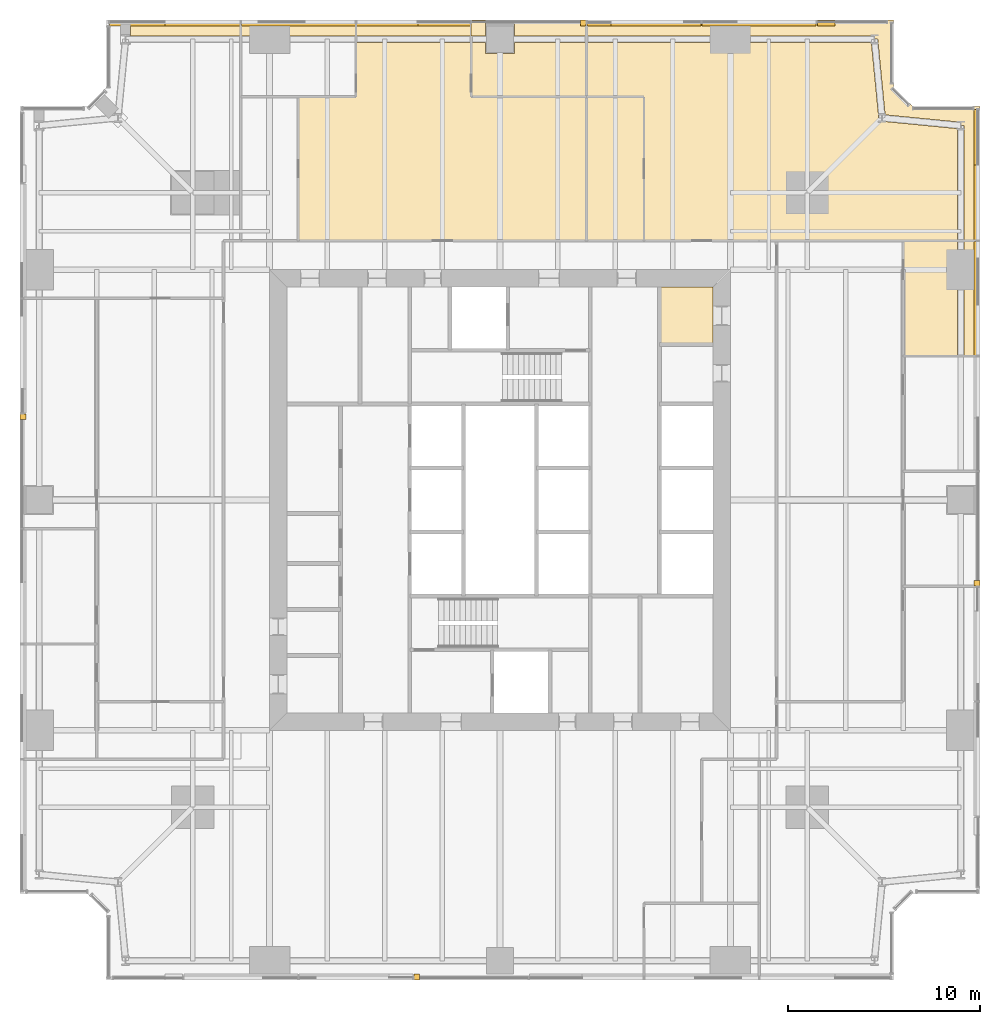
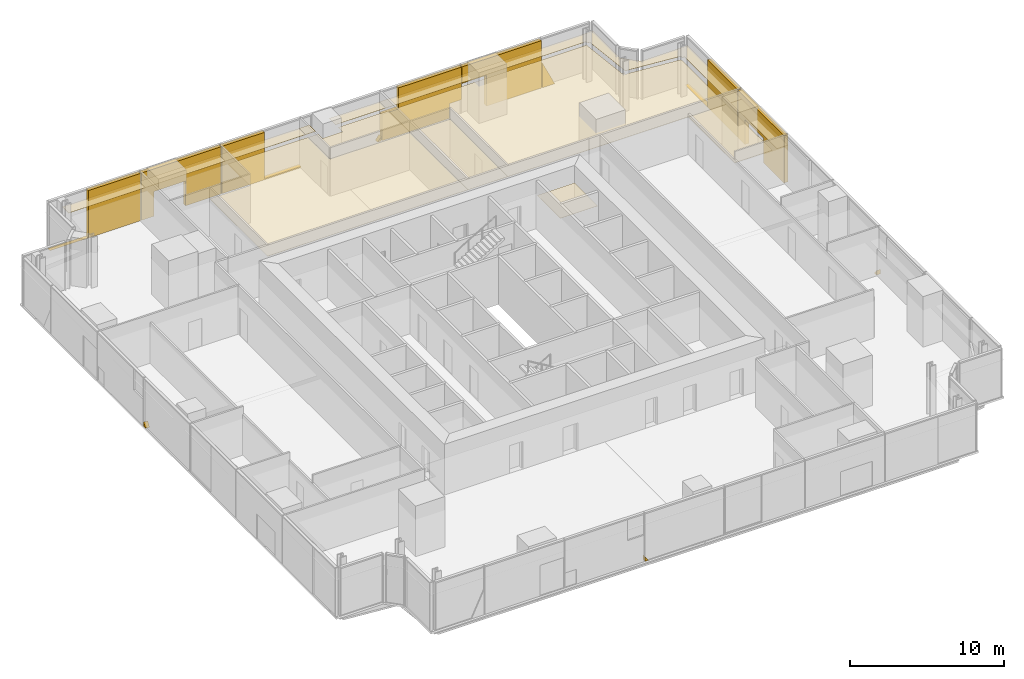
# One storey, part 14 of 14: 25 coverings.
"""IFC4 building model written with IfcOpenShell, lengths in metres."""

import ifcopenshell
import ifcopenshell.guid

model = None  # the IFC model being written
_history = None  # IfcOwnerHistory: only IFC2X3 demands one
_inside = {}  # id of a spatial element -> (the spatial element, [elements in it])
_under = {}  # id of a project, library or spatial element -> (it, [spatial elements below it])
_declared = {}  # id of a project -> (the project, [libraries it declares])
_typed = {}  # id of a type object -> (the type object, [elements of that type])
_made_of = {}  # id of a material, layer set ... -> (it, [elements and type objects made of it])


def new_model(schema):
    """Start an empty IFC model of exactly this schema.

    Asked for "IFC4X3", IfcOpenShell would pick the latest addendum, in which some entities
    have other attributes; the version numbers below select the first issue.
    IFC2X3 requires an IfcOwnerHistory on every rooted entity: one is made here for all.
    """
    global model, _history
    if schema == "IFC4X3":
        model = ifcopenshell.file(schema_version=(4, 3, 0, 0))
    else:
        model = ifcopenshell.file(schema=schema)
    _inside.clear()
    _under.clear()
    _declared.clear()
    _typed.clear()
    _made_of.clear()
    _history = None
    if model.schema == "IFC2X3":
        org = make("IfcOrganization", Name="unknown")
        user = make(
            "IfcPersonAndOrganization",
            ThePerson=make("IfcPerson", FamilyName="unknown"),
            TheOrganization=org,
        )
        app = make(
            "IfcApplication",
            ApplicationDeveloper=org,
            Version="unknown",
            ApplicationFullName="unknown",
            ApplicationIdentifier="unknown",
        )
        _history = make(
            "IfcOwnerHistory",
            OwningUser=user,
            OwningApplication=app,
            ChangeAction="ADDED",
            CreationDate=0,
        )
    return model


def make(cls, **values):
    """One entity of the class cls with the attributes given. An attribute that is None is left unset."""
    return model.create_entity(
        cls, **{name: value for name, value in values.items() if value is not None}
    )


def rooted(cls, **values):
    """An entity with a GlobalId (a new one), such as an element, a storey or a relation."""
    return make(cls, GlobalId=ifcopenshell.guid.new(), OwnerHistory=_history, **values)


def si_unit(unit_type, name, prefix=None):
    """IfcSIUnit, for example si_unit("LENGTHUNIT", "METRE", prefix="MILLI")."""
    return make("IfcSIUnit", UnitType=unit_type, Prefix=prefix, Name=name)


def assignment(units):
    """IfcUnitAssignment: the units of a project."""
    return None if units is None else make("IfcUnitAssignment", Units=units)


def point(xyz):
    """IfcCartesianPoint."""
    return None if xyz is None else make("IfcCartesianPoint", Coordinates=xyz)


def direction(xyz):
    """IfcDirection."""
    return None if xyz is None else make("IfcDirection", DirectionRatios=xyz)


def frame(location, z_axis=None, x_axis=None):
    """IfcAxis2Placement3D, a coordinate frame: its origin and axes. An axis left out is left unset."""
    return make(
        "IfcAxis2Placement3D",
        Location=point(location),
        Axis=direction(z_axis),
        RefDirection=direction(x_axis),
    )


def origin():
    """The frame at (0, 0, 0) with its axes left unset."""
    return frame((0.0, 0.0, 0.0))


def place(relative_to, where):
    """IfcLocalPlacement: puts the frame where relative to a parent placement (None: the world)."""
    return make(
        "IfcLocalPlacement", PlacementRelTo=relative_to, RelativePlacement=where
    )


def context(
    kind, dimensions, precision=None, world=None, true_north=None, identifier=None
):
    """IfcGeometricRepresentationContext, for example the 3D "Model" context."""
    return make(
        "IfcGeometricRepresentationContext",
        ContextIdentifier=identifier,
        ContextType=kind,
        CoordinateSpaceDimension=dimensions,
        Precision=precision,
        WorldCoordinateSystem=world,
        TrueNorth=true_north,
    )


def subcontext(parent, identifier, kind, view, scale=None):
    """IfcGeometricRepresentationSubContext, for example "Body" below "Model"."""
    return make(
        "IfcGeometricRepresentationSubContext",
        ContextIdentifier=identifier,
        ContextType=kind,
        ParentContext=parent,
        TargetScale=scale,
        TargetView=view,
    )


def project(units=None, contexts=None):
    """IfcProject with its units and contexts."""
    return rooted(
        "IfcProject",
        Name="project",
        RepresentationContexts=contexts,
        UnitsInContext=assignment(units),
    )


def spatial(cls, under=None, at=None, **own):
    """A site, building, storey or space (cls), placed at a placement, below another one or the project."""
    s = rooted(cls, ObjectPlacement=at, **own)
    if under is not None:
        _under.setdefault(under.id(), (under, []))[1].append(s)
    return s


def polyline(points):
    """IfcPolyline through the points."""
    return make("IfcPolyline", Points=[point(p) for p in points])


def outline(outer, holes=None, kind="AREA"):
    """IfcArbitraryClosedProfileDef: a profile drawn as a closed curve; with holes, ...WithVoids."""
    if holes is None:
        return make("IfcArbitraryClosedProfileDef", ProfileType=kind, OuterCurve=outer)
    return make(
        "IfcArbitraryProfileDefWithVoids",
        ProfileType=kind,
        OuterCurve=outer,
        InnerCurves=holes,
    )


def extrude(swept, where, along, depth):
    """IfcExtrudedAreaSolid: the profile swept, set in the frame where, extruded along a direction by depth."""
    return make(
        "IfcExtrudedAreaSolid",
        SweptArea=swept,
        Position=where,
        ExtrudedDirection=direction(along),
        Depth=depth,
    )


def shape(context_of_items, identifier, shape_type, items):
    """IfcShapeRepresentation: the items that make up one representation, for example the "Body"."""
    return make(
        "IfcShapeRepresentation",
        ContextOfItems=context_of_items,
        RepresentationIdentifier=identifier,
        RepresentationType=shape_type,
        Items=items,
    )


def material(Name=None, Category=None):
    """IfcMaterial."""
    return make("IfcMaterial", Name=Name, Category=Category)


def layer(
    of_material, thickness, ventilated=None, Name=None, Category=None, Priority=None
):
    """IfcMaterialLayer: one layer of a wall or slab, of a material (None: an air gap)."""
    return make(
        "IfcMaterialLayer",
        Material=of_material,
        LayerThickness=thickness,
        IsVentilated=ventilated,
        Name=Name,
        Category=Category,
        Priority=Priority,
    )


def layer_set(layers, Name=None):
    """IfcMaterialLayerSet."""
    return make("IfcMaterialLayerSet", MaterialLayers=layers, LayerSetName=Name)


def made_of(thing, what):
    """Note that an element or type object is made of a material, layer set ...; save() writes the relation."""
    if what is not None:
        _made_of.setdefault(what.id(), (what, []))[1].append(thing)
    return thing


def type_object(cls, material=None, **own):
    """A type object (cls), such as IfcWallType, which elements share."""
    return made_of(rooted(cls, **own), material)


def element(
    cls,
    number,
    at=None,
    inside=None,
    cuts=None,
    type_object=None,
    material=None,
    context=None,
    identifier="Body",
    shape_type=None,
    held_by="IfcProductDefinitionShape",
    body=None,
    shapes=None,
    **own,
):
    """One element of the class cls, such as IfcWall. Its Tag is "e" and its number.

    at: its placement. inside: the storey or other place that contains it. cuts: it is an
    opening in that element (IfcRelVoidsElement). A single representation is given by context,
    identifier, shape_type and body (its items); several are given by shapes. held_by: the class
    of the entity that holds the representations. save() writes the other relations.
    """
    e = rooted(cls, Tag="e%d" % number, ObjectPlacement=at, **own)
    if body is not None:
        shapes = [shape(context, identifier, shape_type, body)]
    if shapes is not None:
        e.Representation = make(held_by, Representations=shapes)
    if inside is not None:
        _inside.setdefault(inside.id(), (inside, []))[1].append(e)
    if cuts is not None:
        rooted(
            "IfcRelVoidsElement", RelatingBuildingElement=cuts, RelatedOpeningElement=e
        )
    if type_object is not None:
        _typed.setdefault(type_object.id(), (type_object, []))[1].append(e)
    return made_of(e, material)


def aggregate(whole, parts):
    """IfcRelAggregates: a whole, such as a stair, and the parts it consists of."""
    return rooted("IfcRelAggregates", RelatingObject=whole, RelatedObjects=parts)


def save(model, path):
    """Write the relations noted so far, then the file.

    IfcRelAggregates (storeys below a building ...), IfcRelContainedInSpatialStructure (elements
    in a storey), IfcRelDefinesByType, IfcRelAssociatesMaterial and IfcRelDeclares: one each for
    every whole, place, type object, material and project.
    """
    for whole, parts in _under.values():
        aggregate(whole, parts)
    for where, things in _inside.values():
        rooted(
            "IfcRelContainedInSpatialStructure",
            RelatedElements=things,
            RelatingStructure=where,
        )
    for kind, things in _typed.values():
        rooted("IfcRelDefinesByType", RelatedObjects=things, RelatingType=kind)
    for what, things in _made_of.values():
        rooted("IfcRelAssociatesMaterial", RelatedObjects=things, RelatingMaterial=what)
    for by, libraries in _declared.values():
        rooted("IfcRelDeclares", RelatingContext=by, RelatedDefinitions=libraries)
    model.write(path)


model = new_model("IFC4")

# Units and contexts
model_context = context("Model", 3, precision=1e-05, world=origin(), true_north=direction((0.0, 1.0)))
body_context = subcontext(model_context, "Body", "Model", "MODEL_VIEW")
ifc_project = project(units=[si_unit("LENGTHUNIT", "METRE"), si_unit("AREAUNIT", "SQUARE_METRE"), si_unit("VOLUMEUNIT", "CUBIC_METRE"), si_unit("PLANEANGLEUNIT", "RADIAN"), si_unit("MASSUNIT", "GRAM", prefix="KILO")], contexts=[model_context])

# Site, building, storey
site_placement = place(None, origin())
site = spatial("IfcSite", under=ifc_project, at=site_placement, CompositionType="ELEMENT")
building_placement = place(site_placement, origin())
building = spatial("IfcBuilding", under=site, at=building_placement, Name="Fenwick Lantern Interchange", CompositionType="ELEMENT")
storey_placement = place(building_placement, frame((0.0, 0.0, 122.39990234375)))
storey = spatial("IfcBuildingStorey", under=building, at=storey_placement, Name="L28", CompositionType="ELEMENT", Elevation=122.39990234375)

# Coverings
ifc_material_1 = material(Name="Mineral fibre acoustic tile on suspended grid")
ifc_layer_1 = layer(ifc_material_1, 0.02001953125)
ifc_layer_set_1 = layer_set([ifc_layer_1], Name="ACOUSTIC TILE CEILING 20")
covering_type_1 = type_object("IfcCoveringType", Name="ACOUSTIC TILE CEILING 20", PredefinedType="CEILING", material=ifc_layer_set_1)
covering_1_placement = place(storey_placement, frame((0.0, 0.0, 2.900146484375)))
element("IfcCovering", 1, at=covering_1_placement, inside=storey, type_object=covering_type_1, Name="Meeting room ceiling", PredefinedType="CEILING", context=body_context, shape_type="SweptSolid", body=[
    extrude(outline(polyline([(46.0, 32.5), (48.82763671875, 32.5), (48.82763671875, 37.0), (48.82763671875, 38.5), (46.0, 38.5), (46.0, 32.5)])), origin(), (0.0, 0.0, 1.0), 0.02001953125),
])
covering_2_placement = place(storey_placement, frame((0.0, 0.0, 2.900146484375)))
element("IfcCovering", 2, at=covering_2_placement, inside=storey, type_object=covering_type_1, Name="Meeting room ceiling", PredefinedType="CEILING", context=body_context, shape_type="SweptSolid", body=[
    extrude(outline(polyline([(50.0, 38.5), (49.17236328125, 38.5), (49.17236328125, 37.0), (49.17236328125, 32.5), (50.0, 32.5), (50.0, 38.5)])), origin(), (0.0, 0.0, 1.0), 0.02001953125),
])
covering_3_placement = place(storey_placement, frame((0.0, 0.0, 2.900146484375)))
element("IfcCovering", 3, at=covering_3_placement, inside=storey, type_object=covering_type_1, Name="Office suite ceiling", PredefinedType="CEILING", context=body_context, shape_type="SweptSolid", body=[
    extrude(outline(polyline([(29.5, 48.82763671875), (29.5, 46.0), (32.5, 46.0), (32.5, 38.5), (48.82763671875, 38.5), (48.82763671875, 44.343505859375), (44.88330078125, 44.728515625), (44.89990234375, 44.89990234375), (44.728515625, 44.88330078125), (44.343505859375, 48.82763671875), (37.0, 48.82763671875), (29.5, 48.82763671875)])), origin(), (0.0, 0.0, 1.0), 0.02001953125),
])
covering_4_placement = place(storey_placement, frame((0.0, 0.0, 2.900146484375)))
element("IfcCovering", 4, at=covering_4_placement, inside=storey, type_object=covering_type_1, Name="Office suite ceiling", PredefinedType="CEILING", context=body_context, shape_type="SweptSolid", body=[
    extrude(outline(polyline([(29.5, 50.0), (29.5, 49.17236328125), (37.0, 49.17236328125), (44.5, 49.17236328125), (44.5, 49.0), (44.671630859375, 49.016845703125), (45.057861328125, 45.057861328125), (49.016845703125, 44.671630859375), (49.0, 44.5), (49.17236328125, 44.5), (49.17236328125, 38.5), (50.0, 38.5), (50.0, 45.5), (46.5, 45.5), (45.5, 46.5), (45.5, 50.0), (29.5, 50.0)])), origin(), (0.0, 0.0, 1.0), 0.02001953125),
])
covering_5_placement = place(storey_placement, frame((0.0, 0.0, 2.900146484375)))
element("IfcCovering", 5, at=covering_5_placement, inside=storey, type_object=covering_type_1, Name="Meeting room ceiling", PredefinedType="CEILING", context=body_context, shape_type="SweptSolid", body=[
    extrude(outline(polyline([(32.5, 46.0), (29.5, 46.0), (29.5, 38.5), (32.5, 38.5), (32.5, 46.0)])), origin(), (0.0, 0.0, 1.0), 0.02001953125),
])
covering_6_placement = place(storey_placement, frame((0.0, 0.0, 2.900146484375)))
element("IfcCovering", 6, at=covering_6_placement, inside=storey, type_object=covering_type_1, Name="Office suite ceiling", PredefinedType="CEILING", context=body_context, shape_type="SweptSolid", body=[
    extrude(outline(polyline([(23.5, 46.0), (23.5, 48.82763671875), (17.5, 48.82763671875), (17.5, 46.0), (14.5, 46.0), (14.5, 38.5), (29.5, 38.5), (29.5, 46.0), (23.5, 46.0)])), origin(), (0.0, 0.0, 1.0), 0.02001953125),
])
covering_7_placement = place(storey_placement, frame((0.0, 0.0, 2.900146484375)))
element("IfcCovering", 7, at=covering_7_placement, inside=storey, type_object=covering_type_1, Name="Office suite ceiling", PredefinedType="CEILING", context=body_context, shape_type="SweptSolid", body=[
    extrude(outline(polyline([(23.5, 50.0), (17.5, 50.0), (17.5, 49.17236328125), (23.5, 49.17236328125), (23.5, 50.0)])), origin(), (0.0, 0.0, 1.0), 0.02001953125),
])
covering_8_placement = place(storey_placement, frame((0.0, 0.0, 2.900146484375)))
element("IfcCovering", 8, at=covering_8_placement, inside=storey, type_object=covering_type_1, Name="Office ceiling", PredefinedType="CEILING", context=body_context, shape_type="SweptSolid", body=[
    extrude(outline(polyline([(29.5, 46.0), (29.5, 48.82763671875), (25.75, 48.82763671875), (25.75, 48.25), (24.25, 48.25), (24.25, 48.82763671875), (23.5, 48.82763671875), (23.5, 46.0), (29.5, 46.0)])), origin(), (0.0, 0.0, 1.0), 0.02001953125),
])
covering_9_placement = place(storey_placement, frame((0.0, 0.0, 2.900146484375)))
element("IfcCovering", 9, at=covering_9_placement, inside=storey, type_object=covering_type_1, Name="Office ceiling", PredefinedType="CEILING", context=body_context, shape_type="SweptSolid", body=[
    extrude(outline(polyline([(29.5, 49.17236328125), (29.5, 50.0), (25.75, 50.0), (25.75, 49.17236328125), (29.5, 49.17236328125)])), origin(), (0.0, 0.0, 1.0), 0.02001953125),
])
covering_10_placement = place(storey_placement, frame((0.0, 0.0, 2.900146484375)))
element("IfcCovering", 10, at=covering_10_placement, inside=storey, type_object=covering_type_1, Name="Office ceiling", PredefinedType="CEILING", context=body_context, shape_type="SweptSolid", body=[
    extrude(outline(polyline([(23.5, 50.0), (23.5, 49.17236328125), (24.25, 49.17236328125), (24.25, 50.0), (23.5, 50.0)])), origin(), (0.0, 0.0, 1.0), 0.02001953125),
])
covering_11_placement = place(storey_placement, frame((0.0, 0.0, 2.900146484375)))
element("IfcCovering", 11, at=covering_11_placement, inside=storey, type_object=covering_type_1, Name="Office ceiling", PredefinedType="CEILING", context=body_context, shape_type="SweptSolid", body=[
    extrude(outline(polyline([(11.5, 50.0), (11.5, 49.17236328125), (13.0, 49.17236328125), (17.5, 49.17236328125), (17.5, 50.0), (11.5, 50.0)])), origin(), (0.0, 0.0, 1.0), 0.02001953125),
])
covering_12_placement = place(storey_placement, frame((0.0, 0.0, 2.900146484375)))
element("IfcCovering", 12, at=covering_12_placement, inside=storey, type_object=covering_type_1, Name="Office study ceiling", PredefinedType="CEILING", context=body_context, shape_type="SweptSolid", body=[
    extrude(outline(polyline([(5.76220703125, 50.0), (5.76220703125, 49.17236328125), (11.5, 49.17236328125), (11.5, 50.0), (5.76220703125, 50.0)])), origin(), (0.0, 0.0, 1.0), 0.02001953125),
])
ifc_material_2 = material(Name="Granite cladding, warm grey flamed finish, on aluminium carrier frame", Category="masonry")
ifc_layer_2 = layer(ifc_material_2, 0.300048828125)
ifc_layer_set_2 = layer_set([ifc_layer_2], Name="BRACE CASING PANEL 300")
covering_type_2 = type_object("IfcCoveringType", Name="BRACE CASING PANEL 300", PredefinedType="CLADDING", material=ifc_layer_set_2)
for number, where, z_axis, x_axis, name in (
    (13, (4.60009765625, 0.10009765625, 0.0), (0.0, 0.0, 1.0), (1.0, 0.0, 0.0), "Brace casing 01 bay 03a"),
    (14, (49.89990234375, 4.60009765625, 0.0), (0.0, 0.0, 1.0), (0.0, 1.0, 0.0), "Brace casing 05 bay 03a"),
):
    element("IfcCovering", number, at=place(storey_placement, frame(where, z_axis=z_axis, x_axis=x_axis)), inside=storey, type_object=covering_type_2, Name=name, PredefinedType="CLADDING", context=body_context, shape_type="SweptSolid", body=[
        extrude(outline(polyline([(15.9326171875, 0.0), (16.195556640625, 0.0), (15.9326171875, 0.350830078125), (15.9326171875, 0.0)])), frame((0.0, 0.2001953125, 0.0), z_axis=(0.0, -1.0, 0.0), x_axis=(1.0, 0.0, 0.0)), (0.0, 0.0, 1.0), 0.300048828125),
    ])
covering_13_placement = place(storey_placement, frame((49.89990234375, 4.60009765625, 0.0), z_axis=(0.0, 0.0, 1.0), x_axis=(0.0, 1.0, 0.0)))
element("IfcCovering", 15, at=covering_13_placement, inside=storey, type_object=covering_type_2, Name="Brace casing 05 bay 05a", PredefinedType="CLADDING", context=body_context, shape_type="SweptSolid", body=[
    extrude(outline(polyline([(27.9326171875, 0.0), (30.574462890625, 0.0), (30.574462890625, 1.95947265625), (32.95947265625, 1.95947265625), (32.95947265625, 0.0), (33.867431640625, 0.0), (33.867431640625, 3.75), (27.9326171875, 3.75), (27.9326171875, 0.0)])), frame((0.0, 0.2001953125, 0.0), z_axis=(0.0, -1.0, 0.0), x_axis=(1.0, 0.0, 0.0)), (0.0, 0.0, 1.0), 0.300048828125),
])
covering_14_placement = place(storey_placement, frame((49.89990234375, 4.60009765625, 0.0), z_axis=(0.0, 0.0, 1.0), x_axis=(0.0, 1.0, 0.0)))
element("IfcCovering", 16, at=covering_14_placement, inside=storey, type_object=covering_type_2, Name="Brace casing 05 bay 06a", PredefinedType="CLADDING", context=body_context, shape_type="SweptSolid", body=[
    extrude(outline(polyline([(33.9326171875, 0.0), (40.735107421875, 0.0), (40.735107421875, 0.006103515625), (37.85107421875, 0.006103515625), (37.85107421875, 3.75), (33.9326171875, 3.75), (33.9326171875, 0.0)])), frame((0.0, 0.2001953125, 0.0), z_axis=(0.0, -1.0, 0.0), x_axis=(1.0, 0.0, 0.0)), (0.0, 0.0, 1.0), 0.300048828125),
])
covering_15_placement = place(storey_placement, frame((45.39990234375, 49.89990234375, 0.0), z_axis=(0.0, 0.0, 1.0), x_axis=(-1.0, 0.0, 0.0)))
element("IfcCovering", 17, at=covering_15_placement, inside=storey, type_object=covering_type_2, Name="Brace casing 09 bay 00a", PredefinedType="CLADDING", context=body_context, shape_type="SweptSolid", body=[
    extrude(outline(polyline([(2.946044921875, 0.0), (3.867431640625, 0.0), (3.867431640625, 1.965576171875), (2.946044921875, 0.0)])), frame((0.0, 0.2001953125, 0.0), z_axis=(0.0, -1.0, 0.0), x_axis=(1.0, 0.0, 0.0)), (0.0, 0.0, 1.0), 0.300048828125),
])
covering_16_placement = place(storey_placement, frame((45.39990234375, 49.89990234375, 0.0), z_axis=(0.0, 0.0, 1.0), x_axis=(-1.0, 0.0, 0.0)))
element("IfcCovering", 18, at=covering_16_placement, inside=storey, type_object=covering_type_2, Name="Brace casing 09 bay 01a", PredefinedType="CLADDING", context=body_context, shape_type="SweptSolid", body=[
    extrude(outline(polyline([(3.9326171875, 0.0), (8.06201171875, 0.0), (8.06201171875, 2.43212890625), (9.867431640625, 2.43212890625), (9.867431640625, 3.75), (3.9326171875, 3.75), (3.9326171875, 0.0)])), frame((0.0, 0.2001953125, 0.0), z_axis=(0.0, -1.0, 0.0), x_axis=(1.0, 0.0, 0.0)), (0.0, 0.0, 1.0), 0.300048828125),
])
covering_17_placement = place(storey_placement, frame((45.39990234375, 49.89990234375, 0.0), z_axis=(0.0, 0.0, 1.0), x_axis=(-1.0, 0.0, 0.0)))
element("IfcCovering", 19, at=covering_17_placement, inside=storey, type_object=covering_type_2, Name="Brace casing 09 bay 02a", PredefinedType="CLADDING", context=body_context, shape_type="SweptSolid", body=[
    extrude(outline(polyline([(10.8125, 0.0), (15.867431640625, 0.0), (15.867431640625, 2.0966796875), (14.623046875, 2.0966796875), (14.623046875, 3.75), (9.9326171875, 3.75), (9.9326171875, 1.177490234375), (10.8125, 1.177490234375), (10.8125, 0.0)])), frame((0.0, 0.2001953125, 0.0), z_axis=(0.0, -1.0, 0.0), x_axis=(1.0, 0.0, 0.0)), (0.0, 0.0, 1.0), 0.300048828125),
])
covering_18_placement = place(storey_placement, frame((45.39990234375, 49.89990234375, 0.0), z_axis=(0.0, 0.0, 1.0), x_axis=(-1.0, 0.0, 0.0)))
element("IfcCovering", 20, at=covering_18_placement, inside=storey, type_object=covering_type_2, Name="Brace casing 09 bay 03a", PredefinedType="CLADDING", context=body_context, shape_type="SweptSolid", body=[
    extrude(outline(polyline([(15.9326171875, 0.0), (16.195556640625, 0.0), (15.9326171875, 0.350830078125), (15.9326171875, 0.0)])), frame((0.0, 0.2001953125, 0.0), z_axis=(0.0, -1.0, 0.0), x_axis=(1.0, 0.0, 0.0)), (0.0, 0.0, 1.0), 0.300048828125),
])
covering_19_placement = place(storey_placement, frame((45.39990234375, 49.89990234375, 0.0), z_axis=(0.0, 0.0, 1.0), x_axis=(-1.0, 0.0, 0.0)))
element("IfcCovering", 21, at=covering_19_placement, inside=storey, type_object=covering_type_2, Name="Brace casing 09 bay 04a", PredefinedType="CLADDING", context=body_context, shape_type="SweptSolid", body=[
    extrude(outline(polyline([(21.9326171875, 0.0), (27.867431640625, 0.0), (27.867431640625, 3.75), (24.672607421875, 3.75), (24.672607421875, 0.0908203125), (21.9326171875, 0.0908203125), (21.9326171875, 0.0)])), frame((0.0, 0.2001953125, 0.0), z_axis=(0.0, -1.0, 0.0), x_axis=(1.0, 0.0, 0.0)), (0.0, 0.0, 1.0), 0.300048828125),
])
covering_20_placement = place(storey_placement, frame((45.39990234375, 49.89990234375, 0.0), z_axis=(0.0, 0.0, 1.0), x_axis=(-1.0, 0.0, 0.0)))
element("IfcCovering", 22, at=covering_20_placement, inside=storey, type_object=covering_type_2, Name="Brace casing 09 bay 05a", PredefinedType="CLADDING", context=body_context, shape_type="SweptSolid", body=[
    extrude(outline(polyline([(27.9326171875, 0.0), (30.574462890625, 0.0), (30.574462890625, 1.95947265625), (32.95947265625, 1.95947265625), (32.95947265625, 0.0), (33.867431640625, 0.0), (33.867431640625, 3.75), (27.9326171875, 3.75), (27.9326171875, 0.0)])), frame((0.0, 0.2001953125, 0.0), z_axis=(0.0, -1.0, 0.0), x_axis=(1.0, 0.0, 0.0)), (0.0, 0.0, 1.0), 0.300048828125),
])
covering_21_placement = place(storey_placement, frame((45.39990234375, 49.89990234375, 0.0), z_axis=(0.0, 0.0, 1.0), x_axis=(-1.0, 0.0, 0.0)))
element("IfcCovering", 23, at=covering_21_placement, inside=storey, type_object=covering_type_2, Name="Brace casing 09 bay 06a", PredefinedType="CLADDING", context=body_context, shape_type="SweptSolid", body=[
    extrude(outline(polyline([(33.9326171875, 0.0), (40.735107421875, 0.0), (40.735107421875, 0.006103515625), (37.85107421875, 0.006103515625), (37.85107421875, 3.75), (33.9326171875, 3.75), (33.9326171875, 0.0)])), frame((0.0, 0.2001953125, 0.0), z_axis=(0.0, -1.0, 0.0), x_axis=(1.0, 0.0, 0.0)), (0.0, 0.0, 1.0), 0.300048828125),
])
covering_22_placement = place(storey_placement, frame((0.10009765625, 45.39990234375, 0.0), z_axis=(0.0, 0.0, 1.0), x_axis=(0.0, -1.0, 0.0)))
element("IfcCovering", 24, at=covering_22_placement, inside=storey, type_object=covering_type_2, Name="Brace casing 13 bay 03a", PredefinedType="CLADDING", context=body_context, shape_type="SweptSolid", body=[
    extrude(outline(polyline([(15.9326171875, 0.0), (16.195556640625, 0.0), (15.9326171875, 0.350830078125), (15.9326171875, 0.0)])), frame((0.0, 0.2001953125, 0.0), z_axis=(0.0, -1.0, 0.0), x_axis=(1.0, 0.0, 0.0)), (0.0, 0.0, 1.0), 0.300048828125),
])
ifc_material_3 = material(Name="Moisture resistant gypsum board on suspended frame, painted")
ifc_layer_3 = layer(ifc_material_3, 0.014892578125)
ifc_layer_set_3 = layer_set([ifc_layer_3], Name="MOISTURE RESISTANT CEILING 15")
covering_type_3 = type_object("IfcCoveringType", Name="MOISTURE RESISTANT CEILING 15", PredefinedType="CEILING", material=ifc_layer_set_3)
covering_23_placement = place(storey_placement, frame((0.0, 0.0, 2.60009765625)))
element("IfcCovering", 25, at=covering_23_placement, inside=storey, type_object=covering_type_3, Name="Accessible WC ceiling", PredefinedType="CEILING", context=body_context, shape_type="SweptSolid", body=[
    extrude(outline(polyline([(36.10009765625, 36.10009765625), (33.300048828125, 36.10009765625), (33.300048828125, 33.10009765625), (36.10009765625, 33.10009765625), (36.10009765625, 36.10009765625)])), origin(), (0.0, 0.0, 1.0), 0.014892578125),
])

save(model, "model.ifc")
